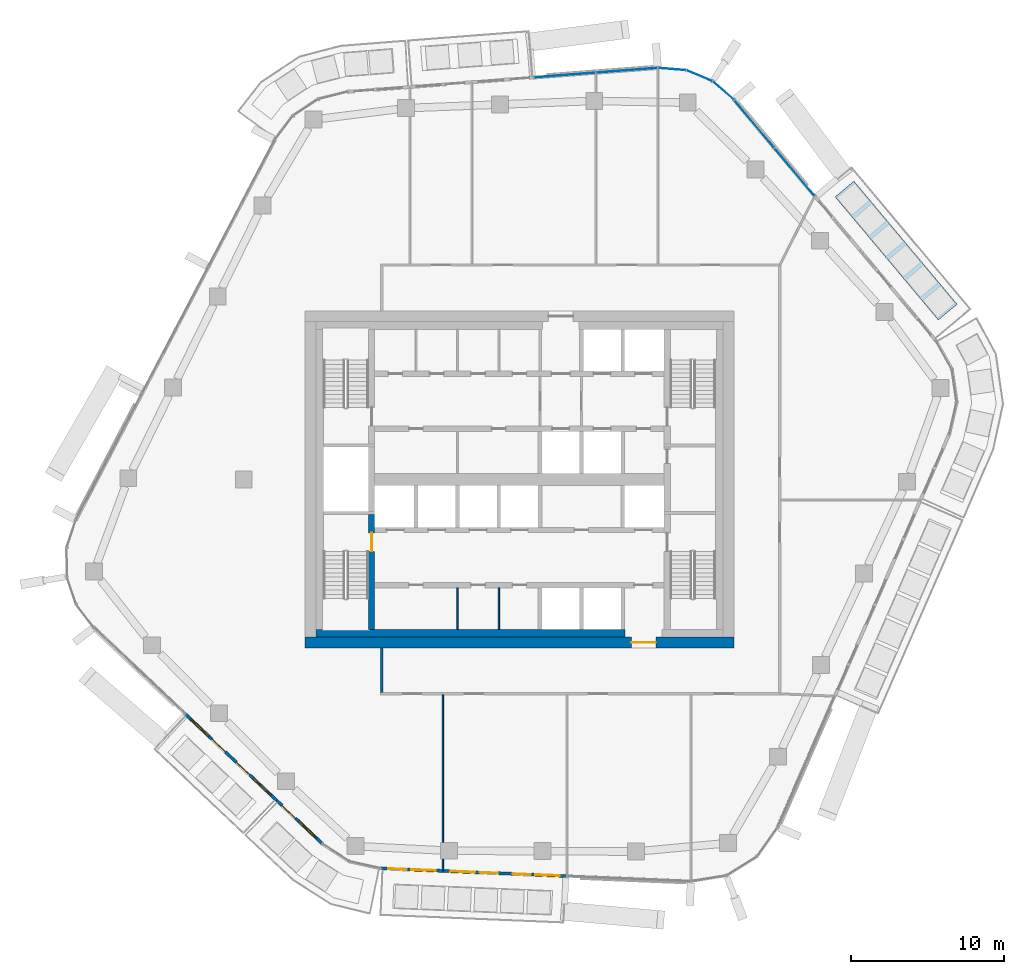
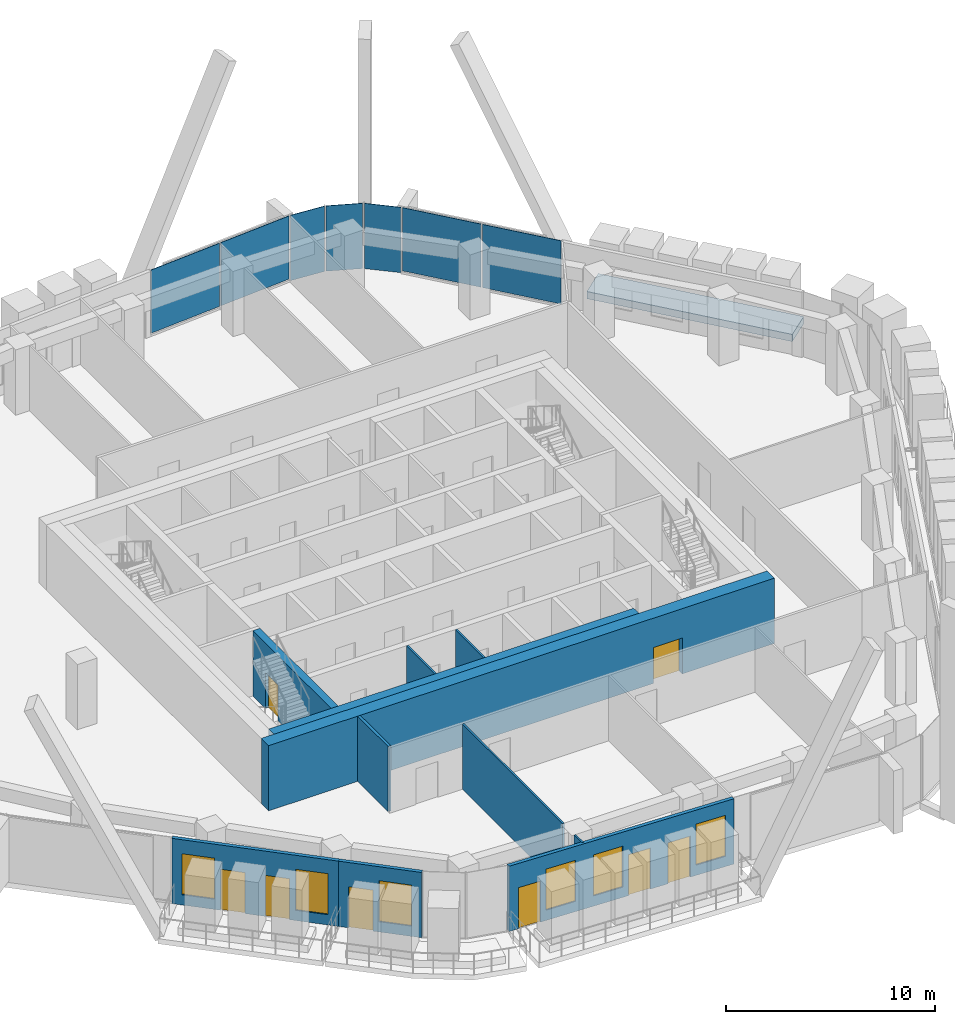
# One storey, part 10 of 20: 11 walls, 8 doors, 7 plates, 6 windows, 1 slab, 14 openings, 3 elements without a shape of their own.
"""IFC4 building model written with IfcOpenShell, lengths in metres."""

from ifc_helpers import new_model, si_unit, direction, frame, frame_2d, origin, origin_2d, place, context, subcontext, project, spatial, polyline, rectangle, outline, extrude, material, layer, layer_set, type_object, element, fill, aggregate, save


model = new_model("IFC4")

# Units and contexts
model_context = context("Model", 3, precision=1e-05, world=origin(), true_north=direction((0.0, 1.0)))
body_context = subcontext(model_context, "Body", "Model", "MODEL_VIEW")
ifc_project = project(units=[si_unit("LENGTHUNIT", "METRE"), si_unit("AREAUNIT", "SQUARE_METRE"), si_unit("VOLUMEUNIT", "CUBIC_METRE"), si_unit("PLANEANGLEUNIT", "RADIAN"), si_unit("MASSUNIT", "GRAM", prefix="KILO")], contexts=[model_context])

# Site, building, storey
site_placement = place(None, origin())
site = spatial("IfcSite", under=ifc_project, at=site_placement, CompositionType="ELEMENT")
building_placement = place(site_placement, origin())
building = spatial("IfcBuilding", under=site, at=building_placement, Name="Dongbaek Canopy Tower", CompositionType="ELEMENT")
storey_placement = place(building_placement, frame((0.0, 0.0, 241.199951171875)))
storey = spatial("IfcBuildingStorey", under=building, at=storey_placement, Name="L50", CompositionType="ELEMENT", Elevation=241.199951171875)

# Curtain wall, plates
ifc_material_1 = material(Name="Aluminium 6063-T6 pale anodised", Category="aluminium")
ifc_layer_1 = layer(ifc_material_1, 0.199951171875)
ifc_layer_set_1 = layer_set([ifc_layer_1], Name="CW-1 unitised tower curtain wall")
curtain_wall_type = type_object("IfcCurtainWallType", Name="CW-1 unitised tower curtain wall", PredefinedType="NOTDEFINED", material=ifc_layer_set_1)
curtain_wall_1_placement = place(storey_placement, origin())
curtain_wall_1 = element("IfcCurtainWall", 1, at=curtain_wall_1_placement, inside=storey, type_object=curtain_wall_type, Name="CW-1 curtain wall F0.1", PredefinedType="NOTDEFINED")
ifc_material_2 = material(Name="Clear laminated glass", Category="glass")
ifc_layer_2 = layer(ifc_material_2, 0.028076171875)
ifc_layer_set_2 = layer_set([ifc_layer_2], Name="CW-1 glazed panel 28")
plate_type = type_object("IfcPlateType", Name="CW-1 glazed panel 28", PredefinedType="CURTAIN_PANEL", material=ifc_layer_set_2)
plate_1_placement = place(storey_placement, frame((17.961669921875, 20.06689453125, 0.1201171875), z_axis=(0.0, 0.0, 1.0), x_axis=(-0.64239310834, 0.766375296025, 0.0)))
plate_1 = element("IfcPlate", 2, at=plate_1_placement, type_object=plate_type, Name="CW-1 panel F0.1.1.1", PredefinedType="CURTAIN_PANEL", context=body_context, shape_type="SweptSolid", body=[
    extrude(rectangle(XDim=4.0107421875, YDim=0.028076171875, at=origin_2d()), origin(), (0.0, 0.0, 1.0), 3.699951171875),
])
plate_2_placement = place(storey_placement, frame((15.333984375, 23.201904296875, 0.1201171875), z_axis=(0.0, 0.0, 1.0), x_axis=(-0.64239310834, 0.766375296025, 0.0)))
plate_2 = element("IfcPlate", 3, at=plate_2_placement, type_object=plate_type, Name="CW-1 panel F0.1.2.1", PredefinedType="CURTAIN_PANEL", context=body_context, shape_type="SweptSolid", body=[
    extrude(rectangle(XDim=4.002685546875, YDim=0.028076171875, at=origin_2d()), origin(), (0.0, 0.0, 1.0), 3.699951171875),
])
aggregate(curtain_wall_1, [plate_1, plate_2])

curtain_wall_2_placement = place(storey_placement, origin())
curtain_wall_2 = element("IfcCurtainWall", 4, at=curtain_wall_2_placement, inside=storey, type_object=curtain_wall_type, Name="CW-1 curtain wall K1.1", PredefinedType="NOTDEFINED")
plate_3_placement = place(storey_placement, frame((13.316162109375, 25.3798828125, 0.0), z_axis=(0.0, 0.0, 1.0), x_axis=(-0.755169247449, 0.655529867899, 0.0)))
plate_3 = element("IfcPlate", 5, at=plate_3_placement, type_object=plate_type, Name="CW-1 panel K1.1.1.1", PredefinedType="CURTAIN_PANEL", context=body_context, shape_type="SweptSolid", body=[
    extrude(rectangle(XDim=1.78369140625, YDim=0.028076171875, at=origin_2d()), origin(), (0.0, 0.0, 1.0), 3.820068359375),
])
plate_4_placement = place(storey_placement, frame((11.753662109375, 26.352783203125, 0.0), z_axis=(0.0, 0.0, 1.0), x_axis=(-0.921724317139, 0.387845695084, 0.0)))
plate_4 = element("IfcPlate", 6, at=plate_4_placement, type_object=plate_type, Name="CW-1 panel K1.1.2.1", PredefinedType="CURTAIN_PANEL", context=body_context, shape_type="SweptSolid", body=[
    extrude(rectangle(XDim=1.775634765625, YDim=0.028076171875, at=origin_2d()), origin(), (0.0, 0.0, 1.0), 3.820068359375),
])
plate_5_placement = place(storey_placement, frame((9.966064453125, 26.78955078125, 0.0), z_axis=(0.0, 0.0, 1.0), x_axis=(-0.996664222618, 0.081611441315, 0.0)))
plate_5 = element("IfcPlate", 7, at=plate_5_placement, type_object=plate_type, Name="CW-1 panel K1.1.3.1", PredefinedType="CURTAIN_PANEL", context=body_context, shape_type="SweptSolid", body=[
    extrude(rectangle(XDim=1.78369140625, YDim=0.028076171875, at=origin_2d()), origin(), (0.0, 0.0, 1.0), 3.820068359375),
])
aggregate(curtain_wall_2, [plate_3, plate_4, plate_5])

curtain_wall_3_placement = place(storey_placement, origin())
curtain_wall_3 = element("IfcCurtainWall", 8, at=curtain_wall_3_placement, inside=storey, type_object=curtain_wall_type, Name="CW-1 curtain wall F1.1", PredefinedType="NOTDEFINED")
plate_6_placement = place(storey_placement, frame((7.0146484375, 26.710693359375, 0.1201171875), z_axis=(0.0, 0.0, 1.0), x_axis=(-0.997068179949, -0.076518262748, 0.0)))
plate_6 = element("IfcPlate", 9, at=plate_6_placement, type_object=plate_type, Name="CW-1 panel F1.1.1.1", PredefinedType="CURTAIN_PANEL", context=body_context, shape_type="SweptSolid", body=[
    extrude(rectangle(XDim=3.968994140625, YDim=0.028076171875, at=origin_2d()), origin(), (0.0, 0.0, 1.0), 3.699951171875),
])
plate_7_placement = place(storey_placement, frame((2.969482421875, 26.400390625, 0.1201171875), z_axis=(0.0, 0.0, 1.0), x_axis=(-0.997068179949, -0.076518262748, 0.0)))
plate_7 = element("IfcPlate", 10, at=plate_7_placement, type_object=plate_type, Name="CW-1 panel F1.1.2.1", PredefinedType="CURTAIN_PANEL", context=body_context, shape_type="SweptSolid", body=[
    extrude(rectangle(XDim=3.97705078125, YDim=0.028076171875, at=origin_2d()), origin(), (0.0, 0.0, 1.0), 3.699951171875),
])
aggregate(curtain_wall_3, [plate_6, plate_7])

# Slab
ifc_material_3 = material(Name="Reinforced concrete C40/50 planter box with soil", Category="concrete")
ifc_layer_3 = layer(ifc_material_3, 0.419921875)
ifc_layer_set_3 = layer_set([ifc_layer_3], Name="Terrace planter box 1600 x 420")
slab_type = type_object("IfcSlabType", Name="Terrace planter box 1600 x 420", PredefinedType="USERDEFINED", material=ifc_layer_set_3)
slab_placement = place(storey_placement, origin())
element("IfcSlab", 11, at=slab_placement, inside=storey, type_object=slab_type, Name="Balcony planter L50 1", ObjectType="PLANTER", PredefinedType="USERDEFINED", context=body_context, shape_type="SweptSolid", body=[
    extrude(outline(polyline([(27.3486328125, 10.409423828125), (20.61376953125, 18.444091796875), (21.840087890625, 19.471923828125), (28.57470703125, 11.437255859375), (27.3486328125, 10.409423828125)])), origin(), (0.0, 0.0, 1.0), 0.420166015625),
])

# Wall, opening, door
ifc_material_4 = material(Name="Concrete C70/85", Category="concrete")
ifc_layer_4 = layer(ifc_material_4, 0.699951171875)
ifc_layer_set_4 = layer_set([ifc_layer_4], Name="Core outer wall 700 Concrete C70/85")
wall_type_1 = type_object("IfcWallType", Name="Core outer wall 700 Concrete C70/85", PredefinedType="SHEAR", material=ifc_layer_set_4)
wall_1_placement = place(storey_placement, frame((14.0, -10.64990234375, 0.0), z_axis=(0.0, 0.0, 1.0), x_axis=(-1.0, 0.0, 0.0)))
wall_1 = element("IfcWall", 12, at=wall_1_placement, inside=storey, type_object=wall_type_1, Name="Core wall", PredefinedType="SHEAR", context=body_context, shape_type="SweptSolid", body=[
    extrude(rectangle(XDim=28.0, YDim=0.699951171875, at=frame_2d((14.0, 0.0))), origin(), (0.0, 0.0, 1.0), 3.820068359375),
])
opening_1_placement = place(wall_1_placement, frame((5.10009765625, 0.0, 0.0)))
opening_1 = element("IfcOpeningElement", 13, at=opening_1_placement, cuts=wall_1, Name="Opening L50-D024", PredefinedType="OPENING", context=body_context, shape_type="SweptSolid", body=[
    extrude(rectangle(XDim=1.60009765625, YDim=2.10009765625, at=frame_2d((0.800048828125, 1.050048828125))), frame((0.0, 0.35986328125, 0.0), z_axis=(0.0, -1.0, 0.0), x_axis=(1.0, 0.0, 0.0)), (0.0, 0.0, 1.0), 0.719970703125),
])
ifc_material_5 = material(Name="Steel", Category="steel")
door_type_1 = type_object("IfcDoorType", Name="Core exit door 1600 x 2100", OperationType="DOUBLE_DOOR_SINGLE_SWING", PredefinedType="DOOR", material=ifc_material_5)
door_1_placement = place(opening_1_placement, origin())
door_1 = element("IfcDoor", 14, at=door_1_placement, inside=storey, type_object=door_type_1, Name="Core exit door", OperationType="DOUBLE_DOOR_SINGLE_SWING", OverallHeight=2.10009765625, OverallWidth=1.60009765625, PredefinedType="DOOR", context=body_context, shape_type="SweptSolid", body=[
    extrude(rectangle(XDim=1.60009765625, YDim=2.10009765625, at=frame_2d((0.800048828125, 1.050048828125))), frame((0.0, 0.02490234375, 0.0), z_axis=(0.0, -1.0, 0.0), x_axis=(1.0, 0.0, 0.0)), (0.0, 0.0, 1.0), 0.050048828125),
])
fill(opening_1, door_1)

# Walls
ifc_material_6 = material(Name="Concrete C60/75", Category="concrete")
ifc_layer_5 = layer(ifc_material_6, 0.5)
ifc_layer_set_5 = layer_set([ifc_layer_5], Name="Core wall lining 500 Concrete C60/75")
wall_type_2 = type_object("IfcWallType", Name="Core wall lining 500 Concrete C60/75", PredefinedType="SHEAR", material=ifc_layer_set_5)
wall_2_placement = place(storey_placement, frame((6.89990234375, -10.050048828125, 0.0), z_axis=(0.0, 0.0, 1.0), x_axis=(-1.0, 0.0, 0.0)))
element("IfcWall", 15, at=wall_2_placement, inside=storey, type_object=wall_type_2, Name="Core wall lining", PredefinedType="SHEAR", context=body_context, shape_type="SweptSolid", body=[
    extrude(rectangle(XDim=20.199951171875, YDim=0.5, at=frame_2d((10.10009765625, 0.0))), origin(), (0.0, 0.0, 1.0), 3.820068359375),
])
ifc_material_7 = material(Name="Gypsum board partition, steel stud, 2 x 15 mm fire board", Category="steel")
ifc_layer_6 = layer(ifc_material_7, 0.14990234375)
ifc_layer_set_6 = layer_set([ifc_layer_6], Name="Fire-rated partition 150 gypsum board")
wall_type_3 = type_object("IfcWallType", Name="Fire-rated partition 150 gypsum board", PredefinedType="PARTITIONING", material=ifc_layer_set_6)
wall_3_placement = place(storey_placement, frame((-9.0, -13.925048828125, 0.0), z_axis=(0.0, 0.0, 1.0), x_axis=(0.0, 1.0, 0.0)))
element("IfcWall", 16, at=wall_3_placement, inside=storey, type_object=wall_type_3, Name="Corridor partition", PredefinedType="PARTITIONING", context=body_context, shape_type="SweptSolid", body=[
    extrude(rectangle(XDim=2.925048828125, YDim=0.14990234375, at=frame_2d((1.46240234375, 0.0))), origin(), (0.0, 0.0, 1.0), 3.820068359375),
])
ifc_material_8 = material(Name="Gypsum board partition, steel stud, 2 x 12.5 mm board", Category="steel")
ifc_layer_7 = layer(ifc_material_8, 0.10009765625)
ifc_layer_set_7 = layer_set([ifc_layer_7], Name="Partition 100 gypsum board")
wall_type_4 = type_object("IfcWallType", Name="Partition 100 gypsum board", PredefinedType="PARTITIONING", material=ifc_layer_set_7)
wall_4_placement = place(storey_placement, frame((-5.001953125, -25.54296875, 0.0), z_axis=(0.0, 0.0, 1.0), x_axis=(0.0, 1.0, 0.0)))
element("IfcWall", 17, at=wall_4_placement, inside=storey, type_object=wall_type_4, Name="Partition", PredefinedType="PARTITIONING", context=body_context, shape_type="SweptSolid", body=[
    extrude(rectangle(XDim=0.7470703125, YDim=0.10009765625, at=frame_2d((0.37353515625, 0.0))), origin(), (0.0, 0.0, 1.0), 3.820068359375),
])
wall_5_placement = place(storey_placement, frame((-5.001953125, -23.696044921875, 0.0), z_axis=(0.0, 0.0, 1.0), x_axis=(0.0, 1.0, 0.0)))
element("IfcWall", 18, at=wall_5_placement, inside=storey, type_object=wall_type_4, Name="Partition", PredefinedType="PARTITIONING", context=body_context, shape_type="SweptSolid", body=[
    extrude(rectangle(XDim=9.62109375, YDim=0.10009765625, at=frame_2d((4.810546875, 0.0))), origin(), (0.0, 0.0, 1.0), 3.820068359375),
])
for number, where, z_axis, x_axis, name in (
    (19, (-1.35009765625, -9.800048828125, 0.0), (0.0, 0.0, 1.0), (0.0, 1.0, 0.0), "Core partition"),
    (20, (-4.050048828125, -9.800048828125, 0.0), (0.0, 0.0, 1.0), (0.0, 1.0, 0.0), "Core partition"),
):
    element("IfcWall", number, at=place(storey_placement, frame(where, z_axis=z_axis, x_axis=x_axis)), inside=storey, type_object=wall_type_4, Name=name, PredefinedType="PARTITIONING", context=body_context, shape_type="SweptSolid", body=[
        extrude(rectangle(XDim=2.72509765625, YDim=0.10009765625, at=frame_2d((1.362548828125, 0.0))), origin(), (0.0, 0.0, 1.0), 3.820068359375),
    ])

# Wall, opening, door
ifc_material_9 = material(Name="Concrete C60/75", Category="concrete")
ifc_layer_8 = layer(ifc_material_9, 0.39990234375)
ifc_layer_set_8 = layer_set([ifc_layer_8], Name="Stair wall 400 Concrete C60/75")
wall_type_5 = type_object("IfcWallType", Name="Stair wall 400 Concrete C60/75", PredefinedType="SHEAR", material=ifc_layer_set_8)
wall_6_placement = place(storey_placement, frame((-9.64990234375, -9.800048828125, 0.0), z_axis=(0.0, 0.0, 1.0), x_axis=(0.0, 1.0, 0.0)))
wall_6 = element("IfcWall", 21, at=wall_6_placement, inside=storey, type_object=wall_type_5, Name="Stair wall", PredefinedType="SHEAR", context=body_context, shape_type="SweptSolid", body=[
    extrude(rectangle(XDim=7.5, YDim=0.39990234375, at=frame_2d((3.75, 0.0))), origin(), (0.0, 0.0, 1.0), 3.820068359375),
])
opening_2_placement = place(wall_6_placement, frame((5.10009765625, 0.0, 0.0)))
opening_2 = element("IfcOpeningElement", 22, at=opening_2_placement, cuts=wall_6, Name="Opening L50-D039", PredefinedType="OPENING", context=body_context, shape_type="SweptSolid", body=[
    extrude(rectangle(XDim=1.199951171875, YDim=2.10009765625, at=frame_2d((0.60009765625, 1.050048828125))), frame((0.0, 0.2099609375, 0.0), z_axis=(0.0, -1.0, 0.0), x_axis=(1.0, 0.0, 0.0)), (0.0, 0.0, 1.0), 0.419921875),
])
ifc_material_10 = material(Name="Steel", Category="steel")
door_type_2 = type_object("IfcDoorType", Name="Stair door 1200 x 2100", OperationType="SINGLE_SWING_LEFT", PredefinedType="DOOR", material=ifc_material_10)
door_2_placement = place(opening_2_placement, origin())
door_2 = element("IfcDoor", 23, at=door_2_placement, inside=storey, type_object=door_type_2, Name="Stair D door", OperationType="SINGLE_SWING_LEFT", OverallHeight=2.10009765625, OverallWidth=1.199951171875, PredefinedType="DOOR", context=body_context, shape_type="SweptSolid", body=[
    extrude(rectangle(XDim=1.199951171875, YDim=2.10009765625, at=frame_2d((0.60009765625, 1.050048828125))), frame((0.0, 0.02490234375, 0.0), z_axis=(0.0, -1.0, 0.0), x_axis=(1.0, 0.0, 0.0)), (0.0, 0.0, 1.0), 0.050048828125),
])
fill(opening_2, door_2)

# Wall, openings, doors, windows
ifc_material_11 = material(Name="Aluminium window wall", Category="aluminium")
ifc_layer_9 = layer(ifc_material_11, 0.199951171875)
ifc_layer_set_9 = layer_set([ifc_layer_9], Name="Window wall 200")
wall_type_6 = type_object("IfcWallType", Name="Window wall 200", PredefinedType="SOLIDWALL", material=ifc_layer_set_9)
wall_7_placement = place(storey_placement, frame((-21.822998046875, -15.315185546875, 0.0), z_axis=(0.0, 0.0, 1.0), x_axis=(0.72637578777, -0.68729776294, 0.0)))
wall_7 = element("IfcWall", 24, at=wall_7_placement, inside=storey, type_object=wall_type_6, Name="Window wall L50 3", PredefinedType="SOLIDWALL", context=body_context, shape_type="SweptSolid", body=[
    extrude(rectangle(XDim=8.215576171875, YDim=0.199951171875, at=frame_2d((4.10791015625, 0.0))), origin(), (0.0, 0.0, 1.0), 3.820068359375),
])
opening_3_placement = place(wall_7_placement, frame((0.5, 0.0, 0.60009765625)))
opening_3 = element("IfcOpeningElement", 25, at=opening_3_placement, cuts=wall_7, Name="Opening W1", PredefinedType="OPENING", context=body_context, shape_type="SweptSolid", body=[
    extrude(rectangle(XDim=1.60009765625, YDim=2.39990234375, at=frame_2d((0.800048828125, 1.199951171875))), frame((0.0, 0.10986328125, 0.0), z_axis=(0.0, -1.0, 0.0), x_axis=(1.0, 0.0, 0.0)), (0.0, 0.0, 1.0), 0.219970703125),
])
opening_4_placement = place(wall_7_placement, frame((2.39990234375, 0.0, 0.0)))
opening_4 = element("IfcOpeningElement", 26, at=opening_4_placement, cuts=wall_7, Name="Opening L50-B07", PredefinedType="OPENING", context=body_context, shape_type="SweptSolid", body=[
    extrude(rectangle(XDim=1.199951171875, YDim=2.39990234375, at=frame_2d((0.60009765625, 1.199951171875))), frame((0.0, 0.10986328125, 0.0), z_axis=(0.0, -1.0, 0.0), x_axis=(1.0, 0.0, 0.0)), (0.0, 0.0, 1.0), 0.219970703125),
])
opening_5_placement = place(wall_7_placement, frame((6.107666015625, 0.0, 0.60009765625)))
opening_5 = element("IfcOpeningElement", 27, at=opening_5_placement, cuts=wall_7, Name="Opening W1", PredefinedType="OPENING", context=body_context, shape_type="SweptSolid", body=[
    extrude(rectangle(XDim=1.60009765625, YDim=2.39990234375, at=frame_2d((0.800048828125, 1.199951171875))), frame((0.0, 0.10986328125, 0.0), z_axis=(0.0, -1.0, 0.0), x_axis=(1.0, 0.0, 0.0)), (0.0, 0.0, 1.0), 0.219970703125),
])
opening_6_placement = place(wall_7_placement, frame((4.607666015625, 0.0, 0.0)))
opening_6 = element("IfcOpeningElement", 28, at=opening_6_placement, cuts=wall_7, Name="Opening L50-B08", PredefinedType="OPENING", context=body_context, shape_type="SweptSolid", body=[
    extrude(rectangle(XDim=1.199951171875, YDim=2.39990234375, at=frame_2d((0.60009765625, 1.199951171875))), frame((0.0, 0.10986328125, 0.0), z_axis=(0.0, -1.0, 0.0), x_axis=(1.0, 0.0, 0.0)), (0.0, 0.0, 1.0), 0.219970703125),
])
ifc_material_12 = material(Name="Clear glazing in aluminium frame", Category="aluminium")
door_type_3 = type_object("IfcDoorType", Name="Balcony door BD1 1200 x 2400", OperationType="SLIDING_TO_LEFT", PredefinedType="DOOR", material=ifc_material_12)
door_3_placement = place(opening_4_placement, origin())
door_3 = element("IfcDoor", 29, at=door_3_placement, inside=storey, type_object=door_type_3, Name="Balcony door L50-B07", OperationType="SLIDING_TO_LEFT", OverallHeight=2.39990234375, OverallWidth=1.199951171875, PredefinedType="DOOR", context=body_context, shape_type="SweptSolid", body=[
    extrude(rectangle(XDim=1.199951171875, YDim=2.39990234375, at=frame_2d((0.60009765625, 1.199951171875))), frame((0.0, 0.02490234375, 0.0), z_axis=(0.0, -1.0, 0.0), x_axis=(1.0, 0.0, 0.0)), (0.0, 0.0, 1.0), 0.050048828125),
])
fill(opening_4, door_3)
door_4_placement = place(opening_6_placement, origin())
door_4 = element("IfcDoor", 30, at=door_4_placement, inside=storey, type_object=door_type_3, Name="Balcony door L50-B08", OperationType="SLIDING_TO_LEFT", OverallHeight=2.39990234375, OverallWidth=1.199951171875, PredefinedType="DOOR", context=body_context, shape_type="SweptSolid", body=[
    extrude(rectangle(XDim=1.199951171875, YDim=2.39990234375, at=frame_2d((0.60009765625, 1.199951171875))), frame((0.0, 0.02490234375, 0.0), z_axis=(0.0, -1.0, 0.0), x_axis=(1.0, 0.0, 0.0)), (0.0, 0.0, 1.0), 0.050048828125),
])
fill(opening_6, door_4)
ifc_material_13 = material(Name="Clear glazing in aluminium frame", Category="aluminium")
window_type = type_object("IfcWindowType", Name="Window W1 1600 x 2400", PartitioningType="SINGLE_PANEL", PredefinedType="WINDOW", material=ifc_material_13)
window_1_placement = place(opening_3_placement, origin())
window_1 = element("IfcWindow", 31, at=window_1_placement, inside=storey, type_object=window_type, Name="Window L50 3.1", OverallHeight=2.39990234375, OverallWidth=1.60009765625, PartitioningType="SINGLE_PANEL", PredefinedType="WINDOW", context=body_context, shape_type="SweptSolid", body=[
    extrude(rectangle(XDim=1.60009765625, YDim=2.39990234375, at=frame_2d((0.800048828125, 1.199951171875))), frame((0.0, 0.030029296875, 0.0), z_axis=(0.0, -1.0, 0.0), x_axis=(1.0, 0.0, 0.0)), (0.0, 0.0, 1.0), 0.06005859375),
])
fill(opening_3, window_1)
window_2_placement = place(opening_5_placement, origin())
window_2 = element("IfcWindow", 32, at=window_2_placement, inside=storey, type_object=window_type, Name="Window L50 3.2", OverallHeight=2.39990234375, OverallWidth=1.60009765625, PartitioningType="SINGLE_PANEL", PredefinedType="WINDOW", context=body_context, shape_type="SweptSolid", body=[
    extrude(rectangle(XDim=1.60009765625, YDim=2.39990234375, at=frame_2d((0.800048828125, 1.199951171875))), frame((0.0, 0.030029296875, 0.0), z_axis=(0.0, -1.0, 0.0), x_axis=(1.0, 0.0, 0.0)), (0.0, 0.0, 1.0), 0.06005859375),
])
fill(opening_5, window_2)

# Wall, openings, door, window
wall_8_placement = place(storey_placement, frame((-15.85546875, -20.961669921875, 0.0), z_axis=(0.0, 0.0, 1.0), x_axis=(0.726345438905, -0.687329835946, 0.0)))
wall_8 = element("IfcWall", 33, at=wall_8_placement, inside=storey, type_object=wall_type_6, Name="Window wall L50 8", PredefinedType="SOLIDWALL", context=body_context, shape_type="SweptSolid", body=[
    extrude(rectangle(XDim=4.0986328125, YDim=0.199951171875, at=frame_2d((2.04931640625, 0.0))), origin(), (0.0, 0.0, 1.0), 3.820068359375),
])
opening_7_placement = place(wall_8_placement, frame((2.0, 0.0, 0.60009765625)))
opening_7 = element("IfcOpeningElement", 34, at=opening_7_placement, cuts=wall_8, Name="Opening W1", PredefinedType="OPENING", context=body_context, shape_type="SweptSolid", body=[
    extrude(rectangle(XDim=1.60009765625, YDim=2.39990234375, at=frame_2d((0.800048828125, 1.199951171875))), frame((0.0, 0.10986328125, 0.0), z_axis=(0.0, -1.0, 0.0), x_axis=(1.0, 0.0, 0.0)), (0.0, 0.0, 1.0), 0.219970703125),
])
opening_8_placement = place(wall_8_placement, frame((0.5, 0.0, 0.0)))
opening_8 = element("IfcOpeningElement", 35, at=opening_8_placement, cuts=wall_8, Name="Opening L50-B09", PredefinedType="OPENING", context=body_context, shape_type="SweptSolid", body=[
    extrude(rectangle(XDim=1.199951171875, YDim=2.39990234375, at=frame_2d((0.60009765625, 1.199951171875))), frame((0.0, 0.10986328125, 0.0), z_axis=(0.0, -1.0, 0.0), x_axis=(1.0, 0.0, 0.0)), (0.0, 0.0, 1.0), 0.219970703125),
])
door_5_placement = place(opening_8_placement, origin())
door_5 = element("IfcDoor", 36, at=door_5_placement, inside=storey, type_object=door_type_3, Name="Balcony door L50-B09", OperationType="SLIDING_TO_LEFT", OverallHeight=2.39990234375, OverallWidth=1.199951171875, PredefinedType="DOOR", context=body_context, shape_type="SweptSolid", body=[
    extrude(rectangle(XDim=1.199951171875, YDim=2.39990234375, at=frame_2d((0.60009765625, 1.199951171875))), frame((0.0, 0.02490234375, 0.0), z_axis=(0.0, -1.0, 0.0), x_axis=(1.0, 0.0, 0.0)), (0.0, 0.0, 1.0), 0.050048828125),
])
fill(opening_8, door_5)
window_3_placement = place(opening_7_placement, origin())
window_3 = element("IfcWindow", 37, at=window_3_placement, inside=storey, type_object=window_type, Name="Window L50 8.1", OverallHeight=2.39990234375, OverallWidth=1.60009765625, PartitioningType="SINGLE_PANEL", PredefinedType="WINDOW", context=body_context, shape_type="SweptSolid", body=[
    extrude(rectangle(XDim=1.60009765625, YDim=2.39990234375, at=frame_2d((0.800048828125, 1.199951171875))), frame((0.0, 0.030029296875, 0.0), z_axis=(0.0, -1.0, 0.0), x_axis=(1.0, 0.0, 0.0)), (0.0, 0.0, 1.0), 0.06005859375),
])
fill(opening_7, window_3)

# Wall, openings, doors, windows
wall_9_placement = place(storey_placement, frame((-9.052490234375, -25.394775390625, 0.0), z_axis=(0.0, 0.0, 1.0), x_axis=(0.999139463312, -0.041476895419, 0.0)))
wall_9 = element("IfcWall", 38, at=wall_9_placement, inside=storey, type_object=wall_type_6, Name="Window wall L50 4", PredefinedType="SOLIDWALL", context=body_context, shape_type="SweptSolid", body=[
    extrude(rectangle(XDim=12.160888671875, YDim=0.199951171875, at=frame_2d((6.08056640625, 0.0))), origin(), (0.0, 0.0, 1.0), 3.820068359375),
])
opening_9_placement = place(wall_9_placement, frame((2.0, 0.0, 0.60009765625)))
opening_9 = element("IfcOpeningElement", 39, at=opening_9_placement, cuts=wall_9, Name="Opening W1", PredefinedType="OPENING", context=body_context, shape_type="SweptSolid", body=[
    extrude(rectangle(XDim=1.60009765625, YDim=2.39990234375, at=frame_2d((0.800048828125, 1.199951171875))), frame((0.0, 0.10986328125, 0.0), z_axis=(0.0, -1.0, 0.0), x_axis=(1.0, 0.0, 0.0)), (0.0, 0.0, 1.0), 0.219970703125),
])
opening_10_placement = place(wall_9_placement, frame((0.5, 0.0, 0.0)))
opening_10 = element("IfcOpeningElement", 40, at=opening_10_placement, cuts=wall_9, Name="Opening L50-B10", PredefinedType="OPENING", context=body_context, shape_type="SweptSolid", body=[
    extrude(rectangle(XDim=1.199951171875, YDim=2.39990234375, at=frame_2d((0.60009765625, 1.199951171875))), frame((0.0, 0.10986328125, 0.0), z_axis=(0.0, -1.0, 0.0), x_axis=(1.0, 0.0, 0.0)), (0.0, 0.0, 1.0), 0.219970703125),
])
opening_11_placement = place(wall_9_placement, frame((4.5537109375, 0.0, 0.60009765625)))
opening_11 = element("IfcOpeningElement", 41, at=opening_11_placement, cuts=wall_9, Name="Opening W1", PredefinedType="OPENING", context=body_context, shape_type="SweptSolid", body=[
    extrude(rectangle(XDim=1.60009765625, YDim=2.39990234375, at=frame_2d((0.800048828125, 1.199951171875))), frame((0.0, 0.10986328125, 0.0), z_axis=(0.0, -1.0, 0.0), x_axis=(1.0, 0.0, 0.0)), (0.0, 0.0, 1.0), 0.219970703125),
])
opening_12_placement = place(wall_9_placement, frame((6.45361328125, 0.0, 0.0)))
opening_12 = element("IfcOpeningElement", 42, at=opening_12_placement, cuts=wall_9, Name="Opening L50-B11", PredefinedType="OPENING", context=body_context, shape_type="SweptSolid", body=[
    extrude(rectangle(XDim=1.199951171875, YDim=2.39990234375, at=frame_2d((0.60009765625, 1.199951171875))), frame((0.0, 0.10986328125, 0.0), z_axis=(0.0, -1.0, 0.0), x_axis=(1.0, 0.0, 0.0)), (0.0, 0.0, 1.0), 0.219970703125),
])
opening_13_placement = place(wall_9_placement, frame((10.107177734375, 0.0, 0.60009765625)))
opening_13 = element("IfcOpeningElement", 43, at=opening_13_placement, cuts=wall_9, Name="Opening W1", PredefinedType="OPENING", context=body_context, shape_type="SweptSolid", body=[
    extrude(rectangle(XDim=1.60009765625, YDim=2.39990234375, at=frame_2d((0.800048828125, 1.199951171875))), frame((0.0, 0.10986328125, 0.0), z_axis=(0.0, -1.0, 0.0), x_axis=(1.0, 0.0, 0.0)), (0.0, 0.0, 1.0), 0.219970703125),
])
opening_14_placement = place(wall_9_placement, frame((8.607177734375, 0.0, 0.0)))
opening_14 = element("IfcOpeningElement", 44, at=opening_14_placement, cuts=wall_9, Name="Opening L50-B12", PredefinedType="OPENING", context=body_context, shape_type="SweptSolid", body=[
    extrude(rectangle(XDim=1.199951171875, YDim=2.39990234375, at=frame_2d((0.60009765625, 1.199951171875))), frame((0.0, 0.10986328125, 0.0), z_axis=(0.0, -1.0, 0.0), x_axis=(1.0, 0.0, 0.0)), (0.0, 0.0, 1.0), 0.219970703125),
])
door_6_placement = place(opening_10_placement, origin())
door_6 = element("IfcDoor", 45, at=door_6_placement, inside=storey, type_object=door_type_3, Name="Balcony door L50-B10", OperationType="SLIDING_TO_LEFT", OverallHeight=2.39990234375, OverallWidth=1.199951171875, PredefinedType="DOOR", context=body_context, shape_type="SweptSolid", body=[
    extrude(rectangle(XDim=1.199951171875, YDim=2.39990234375, at=frame_2d((0.60009765625, 1.199951171875))), frame((0.0, 0.02490234375, 0.0), z_axis=(0.0, -1.0, 0.0), x_axis=(1.0, 0.0, 0.0)), (0.0, 0.0, 1.0), 0.050048828125),
])
fill(opening_10, door_6)
door_7_placement = place(opening_12_placement, origin())
door_7 = element("IfcDoor", 46, at=door_7_placement, inside=storey, type_object=door_type_3, Name="Balcony door L50-B11", OperationType="SLIDING_TO_LEFT", OverallHeight=2.39990234375, OverallWidth=1.199951171875, PredefinedType="DOOR", context=body_context, shape_type="SweptSolid", body=[
    extrude(rectangle(XDim=1.199951171875, YDim=2.39990234375, at=frame_2d((0.60009765625, 1.199951171875))), frame((0.0, 0.02490234375, 0.0), z_axis=(0.0, -1.0, 0.0), x_axis=(1.0, 0.0, 0.0)), (0.0, 0.0, 1.0), 0.050048828125),
])
fill(opening_12, door_7)
door_8_placement = place(opening_14_placement, origin())
door_8 = element("IfcDoor", 47, at=door_8_placement, inside=storey, type_object=door_type_3, Name="Balcony door L50-B12", OperationType="SLIDING_TO_LEFT", OverallHeight=2.39990234375, OverallWidth=1.199951171875, PredefinedType="DOOR", context=body_context, shape_type="SweptSolid", body=[
    extrude(rectangle(XDim=1.199951171875, YDim=2.39990234375, at=frame_2d((0.60009765625, 1.199951171875))), frame((0.0, 0.02490234375, 0.0), z_axis=(0.0, -1.0, 0.0), x_axis=(1.0, 0.0, 0.0)), (0.0, 0.0, 1.0), 0.050048828125),
])
fill(opening_14, door_8)
window_4_placement = place(opening_9_placement, origin())
window_4 = element("IfcWindow", 48, at=window_4_placement, inside=storey, type_object=window_type, Name="Window L50 4.1", OverallHeight=2.39990234375, OverallWidth=1.60009765625, PartitioningType="SINGLE_PANEL", PredefinedType="WINDOW", context=body_context, shape_type="SweptSolid", body=[
    extrude(rectangle(XDim=1.60009765625, YDim=2.39990234375, at=frame_2d((0.800048828125, 1.199951171875))), frame((0.0, 0.030029296875, 0.0), z_axis=(0.0, -1.0, 0.0), x_axis=(1.0, 0.0, 0.0)), (0.0, 0.0, 1.0), 0.06005859375),
])
fill(opening_9, window_4)
window_5_placement = place(opening_11_placement, origin())
window_5 = element("IfcWindow", 49, at=window_5_placement, inside=storey, type_object=window_type, Name="Window L50 4.2", OverallHeight=2.39990234375, OverallWidth=1.60009765625, PartitioningType="SINGLE_PANEL", PredefinedType="WINDOW", context=body_context, shape_type="SweptSolid", body=[
    extrude(rectangle(XDim=1.60009765625, YDim=2.39990234375, at=frame_2d((0.800048828125, 1.199951171875))), frame((0.0, 0.030029296875, 0.0), z_axis=(0.0, -1.0, 0.0), x_axis=(1.0, 0.0, 0.0)), (0.0, 0.0, 1.0), 0.06005859375),
])
fill(opening_11, window_5)
window_6_placement = place(opening_13_placement, origin())
window_6 = element("IfcWindow", 50, at=window_6_placement, inside=storey, type_object=window_type, Name="Window L50 4.3", OverallHeight=2.39990234375, OverallWidth=1.60009765625, PartitioningType="SINGLE_PANEL", PredefinedType="WINDOW", context=body_context, shape_type="SweptSolid", body=[
    extrude(rectangle(XDim=1.60009765625, YDim=2.39990234375, at=frame_2d((0.800048828125, 1.199951171875))), frame((0.0, 0.030029296875, 0.0), z_axis=(0.0, -1.0, 0.0), x_axis=(1.0, 0.0, 0.0)), (0.0, 0.0, 1.0), 0.06005859375),
])
fill(opening_13, window_6)

save(model, "model.ifc")
